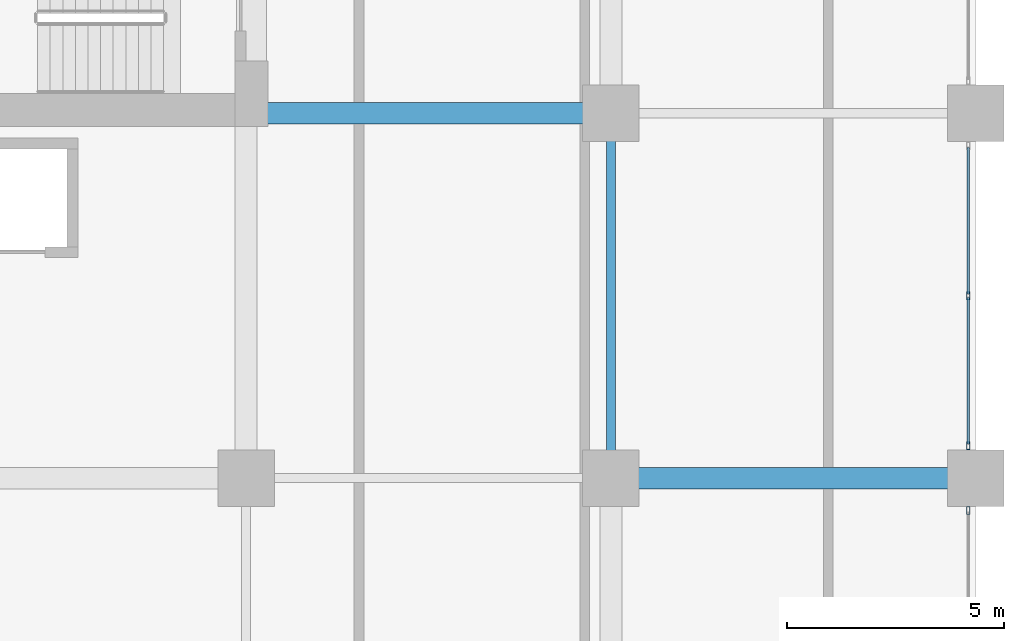
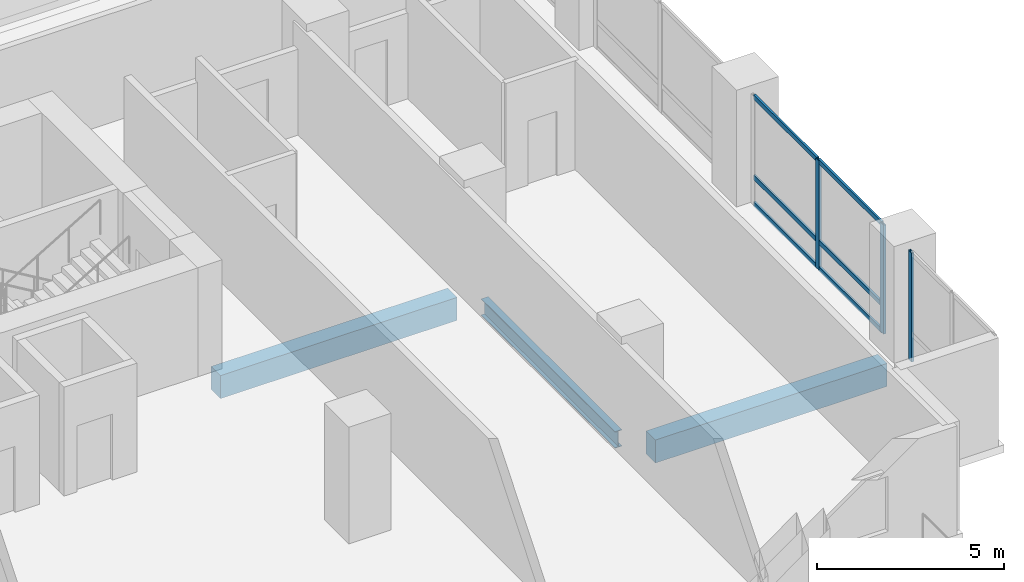
# One storey, part 4 of 23: 9 members, 3 beams, 2 elements without a shape of their own.
"""IFC4 building model written with IfcOpenShell, lengths in metres."""

from ifc_helpers import new_model, si_unit, direction, frame, origin, origin_2d, place, context, subcontext, project, spatial, rectangle, hollow_rectangle, i_section, extrude, material, layer, layer_set, material_profile, profile_set, type_object, element, aggregate, save


model = new_model("IFC4")

# Units and contexts
model_context = context("Model", 3, precision=1e-05, world=origin(), true_north=direction((0.0, 1.0)))
body_context = subcontext(model_context, "Body", "Model", "MODEL_VIEW")
ifc_project = project(units=[si_unit("LENGTHUNIT", "METRE"), si_unit("AREAUNIT", "SQUARE_METRE"), si_unit("VOLUMEUNIT", "CUBIC_METRE"), si_unit("PLANEANGLEUNIT", "RADIAN"), si_unit("MASSUNIT", "GRAM", prefix="KILO")], contexts=[model_context])

# Site, building, storey
site_placement = place(None, origin())
site = spatial("IfcSite", under=ifc_project, at=site_placement, CompositionType="ELEMENT")
building_placement = place(site_placement, origin())
building = spatial("IfcBuilding", under=site, at=building_placement, Name="Koriwani Terraces Tower", CompositionType="ELEMENT")
storey_placement = place(building_placement, frame((0.0, 0.0, 119.0)))
storey = spatial("IfcBuildingStorey", under=building, at=storey_placement, Name="L28", CompositionType="ELEMENT", Elevation=119.0)

# Beams
ifc_material_1 = material(Name="Concrete C50/60", Category="concrete")
ifc_material_profile_1 = material_profile(ifc_material_1, rectangle(XDim=0.5, YDim=0.75, at=origin_2d()), Name="Concrete C50/60", Category="LoadBearing")
ifc_profile_set_1 = profile_set([ifc_material_profile_1], Name="Concrete C50/60")
beam_type_1 = type_object("IfcBeamType", Name="BEAM_RC_GRID_500X750", PredefinedType="BEAM", material=ifc_profile_set_1)
beam_1_placement = place(storey_placement, frame((67.830078125, 8.39990234375, -0.625), z_axis=(1.0, 0.0, 0.0), x_axis=(0.0, 1.0, 0.0)))
element("IfcBeam", 1, at=beam_1_placement, inside=storey, type_object=beam_type_1, Name="L28 Grid Beam B (67.2-75.6m)", PredefinedType="BEAM", context=body_context, shape_type="SweptSolid", body=[
    extrude(rectangle(XDim=0.5, YDim=0.75, at=origin_2d()), origin(), (0.0, 0.0, 1.0), 7.139892578125),
])
beam_2_placement = place(storey_placement, frame((59.280029296875, 16.800048828125, -0.625), z_axis=(1.0, 0.0, 0.0), x_axis=(0.0, 1.0, 0.0)))
element("IfcBeam", 2, at=beam_2_placement, inside=storey, type_object=beam_type_1, Name="L28 Grid Beam C (58.8-67.2m)", PredefinedType="BEAM", context=body_context, shape_type="SweptSolid", body=[
    extrude(rectangle(XDim=0.5, YDim=0.75, at=origin_2d()), origin(), (0.0, 0.0, 1.0), 7.2900390625),
])

# Curtain wall, members
ifc_material_2 = material(Name="Anodised Bronze Aluminium", Category="aluminium")
ifc_layer = layer(ifc_material_2, 0.179931640625, Name="Anodised Bronze Aluminium")
ifc_layer_set = layer_set([ifc_layer], Name="Anodised Bronze Aluminium")
curtain_wall_type = type_object("IfcCurtainWallType", Name="CW_HOTEL_ZONE2", PredefinedType="NOTDEFINED", material=ifc_layer_set)
curtain_wall_1_placement = place(storey_placement, origin())
curtain_wall_1 = element("IfcCurtainWall", 3, at=curtain_wall_1_placement, inside=storey, type_object=curtain_wall_type, Name="L28 Unitised Curtain Wall (E_TIP) Bay 3", PredefinedType="NOTDEFINED")
ifc_material_profile_2 = material_profile(ifc_material_2, hollow_rectangle(XDim=0.074951171875, YDim=0.179931640625, WallThickness=0.006103515625, at=origin_2d()), Name="Anodised Bronze Aluminium", Category="LoadBearing")
ifc_profile_set_2 = profile_set([ifc_material_profile_2], Name="Anodised Bronze Aluminium")
member_type_1 = type_object("IfcMemberType", Name="CW_MULLION_180X75", PredefinedType="MULLION", material=ifc_profile_set_2)
member_1_placement = place(storey_placement, frame((75.425048828125, 12.60009765625, 0.0), z_axis=(0.0, 0.0, 1.0), x_axis=(1.0, 0.0, 0.0)))
member_1 = element("IfcMember", 4, at=member_1_placement, type_object=member_type_1, Name="CW-Z2 mullion 2", PredefinedType="MULLION", context=body_context, shape_type="SweptSolid", body=[
    extrude(hollow_rectangle(XDim=0.074951171875, YDim=0.179931640625, WallThickness=0.006103515625, at=origin_2d()), origin(), (0.0, 0.0, 1.0), 3.550048828125),
])
member_2_placement = place(storey_placement, frame((75.425048828125, 9.1474609375, 0.0), z_axis=(0.0, 0.0, 1.0), x_axis=(1.0, 0.0, 0.0)))
member_2 = element("IfcMember", 5, at=member_2_placement, type_object=member_type_1, Name="CW-Z2 mullion 3", PredefinedType="MULLION", context=body_context, shape_type="SweptSolid", body=[
    extrude(hollow_rectangle(XDim=0.074951171875, YDim=0.179931640625, WallThickness=0.006103515625, at=origin_2d()), origin(), (0.0, 0.0, 1.0), 3.550048828125),
])

# Curtain wall, member
curtain_wall_2_placement = place(storey_placement, origin())
curtain_wall_2 = element("IfcCurtainWall", 6, at=curtain_wall_2_placement, inside=storey, type_object=curtain_wall_type, Name="L28 Unitised Curtain Wall (E_TIP) Bay 4", PredefinedType="NOTDEFINED")
member_3_placement = place(storey_placement, frame((75.425048828125, 7.652587890625, 0.0), z_axis=(0.0, 0.0, 1.0), x_axis=(1.0, 0.0, 0.0)))
member_3 = element("IfcMember", 7, at=member_3_placement, type_object=member_type_1, Name="CW-Z2 mullion 1", PredefinedType="MULLION", context=body_context, shape_type="SweptSolid", body=[
    extrude(hollow_rectangle(XDim=0.074951171875, YDim=0.179931640625, WallThickness=0.006103515625, at=origin_2d()), origin(), (0.0, 0.0, 1.0), 3.550048828125),
])
aggregate(curtain_wall_2, [member_3])

# Member
ifc_material_profile_3 = material_profile(ifc_material_2, hollow_rectangle(XDim=0.06494140625, YDim=0.14990234375, WallThickness=0.0048828125, at=origin_2d()), Name="Anodised Bronze Aluminium", Category="LoadBearing")
ifc_profile_set_3 = profile_set([ifc_material_profile_3], Name="Anodised Bronze Aluminium")
member_type_2 = type_object("IfcMemberType", Name="CW_TRANSOM_150X65", PredefinedType="USERDEFINED", material=ifc_profile_set_3)
member_4_placement = place(storey_placement, frame((75.425048828125, 16.014892578125, 0.032470703125), z_axis=(0.0, -1.0, 0.0), x_axis=(1.0, 0.0, 0.0)))
member_4 = element("IfcMember", 8, at=member_4_placement, type_object=member_type_2, Name="CW-Z2 transom 1.1", ObjectType="TRANSOM", PredefinedType="USERDEFINED", context=body_context, shape_type="SweptSolid", body=[
    extrude(hollow_rectangle(XDim=0.06494140625, YDim=0.14990234375, WallThickness=0.0048828125, at=origin_2d()), origin(), (0.0, 0.0, 1.0), 3.37744140625),
])

member_5_placement = place(storey_placement, frame((75.425048828125, 16.014892578125, 0.89990234375), z_axis=(0.0, -1.0, 0.0), x_axis=(1.0, 0.0, 0.0)))
member_5 = element("IfcMember", 9, at=member_5_placement, type_object=member_type_2, Name="CW-Z2 transom 1.2", ObjectType="TRANSOM", PredefinedType="USERDEFINED", context=body_context, shape_type="SweptSolid", body=[
    extrude(hollow_rectangle(XDim=0.06494140625, YDim=0.14990234375, WallThickness=0.0048828125, at=origin_2d()), origin(), (0.0, 0.0, 1.0), 3.37744140625),
])

member_6_placement = place(storey_placement, frame((75.425048828125, 16.014892578125, 3.517578125), z_axis=(0.0, -1.0, 0.0), x_axis=(1.0, 0.0, 0.0)))
member_6 = element("IfcMember", 10, at=member_6_placement, type_object=member_type_2, Name="CW-Z2 transom 1.3", ObjectType="TRANSOM", PredefinedType="USERDEFINED", context=body_context, shape_type="SweptSolid", body=[
    extrude(hollow_rectangle(XDim=0.06494140625, YDim=0.14990234375, WallThickness=0.0048828125, at=origin_2d()), origin(), (0.0, 0.0, 1.0), 3.37744140625),
])

member_7_placement = place(storey_placement, frame((75.425048828125, 12.5625, 0.032470703125), z_axis=(0.0, -1.0, 0.0), x_axis=(1.0, 0.0, 0.0)))
member_7 = element("IfcMember", 11, at=member_7_placement, type_object=member_type_2, Name="CW-Z2 transom 2.1", ObjectType="TRANSOM", PredefinedType="USERDEFINED", context=body_context, shape_type="SweptSolid", body=[
    extrude(hollow_rectangle(XDim=0.06494140625, YDim=0.14990234375, WallThickness=0.0048828125, at=origin_2d()), origin(), (0.0, 0.0, 1.0), 3.37744140625),
])

member_8_placement = place(storey_placement, frame((75.425048828125, 12.5625, 0.89990234375), z_axis=(0.0, -1.0, 0.0), x_axis=(1.0, 0.0, 0.0)))
member_8 = element("IfcMember", 12, at=member_8_placement, type_object=member_type_2, Name="CW-Z2 transom 2.2", ObjectType="TRANSOM", PredefinedType="USERDEFINED", context=body_context, shape_type="SweptSolid", body=[
    extrude(hollow_rectangle(XDim=0.06494140625, YDim=0.14990234375, WallThickness=0.0048828125, at=origin_2d()), origin(), (0.0, 0.0, 1.0), 3.37744140625),
])

member_9_placement = place(storey_placement, frame((75.425048828125, 12.5625, 3.517578125), z_axis=(0.0, -1.0, 0.0), x_axis=(1.0, 0.0, 0.0)))
member_9 = element("IfcMember", 13, at=member_9_placement, type_object=member_type_2, Name="CW-Z2 transom 2.3", ObjectType="TRANSOM", PredefinedType="USERDEFINED", context=body_context, shape_type="SweptSolid", body=[
    extrude(hollow_rectangle(XDim=0.06494140625, YDim=0.14990234375, WallThickness=0.0048828125, at=origin_2d()), origin(), (0.0, 0.0, 1.0), 3.37744140625),
])

aggregate(curtain_wall_1, [member_1, member_2, member_4, member_5, member_6, member_7, member_8, member_9])

# Beam
ifc_material_3 = material(Name="Steel ASTM A572 Grade 50", Category="steel")
ifc_material_profile_4 = material_profile(ifc_material_3, i_section(OverallWidth=0.2119140625, OverallDepth=0.54296875, WebThickness=0.0126953125, FlangeThickness=0.021240234375, at=origin_2d()), Name="Steel ASTM A572 Grade 50", Category="LoadBearing")
ifc_profile_set_4 = profile_set([ifc_material_profile_4], Name="Steel ASTM A572 Grade 50")
beam_type_2 = type_object("IfcBeamType", Name="STEEL_BEAM_W530X150", PredefinedType="BEAM", material=ifc_profile_set_4)
beam_3_placement = place(storey_placement, frame((67.199951171875, 9.030029296875, -0.521484375), z_axis=(0.0, 1.0, 0.0), x_axis=(-1.0, 0.0, 0.0)))
element("IfcBeam", 14, at=beam_3_placement, inside=storey, type_object=beam_type_2, Name="L28 Grid Beam 9 (8.4-16.8m)", PredefinedType="BEAM", context=body_context, shape_type="SweptSolid", body=[
    extrude(i_section(OverallWidth=0.2119140625, OverallDepth=0.54296875, WebThickness=0.0126953125, FlangeThickness=0.021240234375, at=origin_2d()), origin(), (0.0, 0.0, 1.0), 7.139892578125),
])

save(model, "model.ifc")
